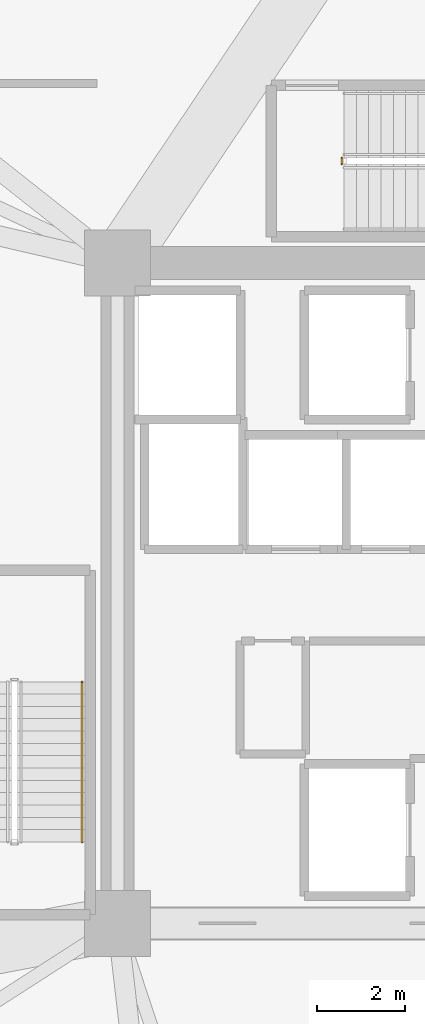
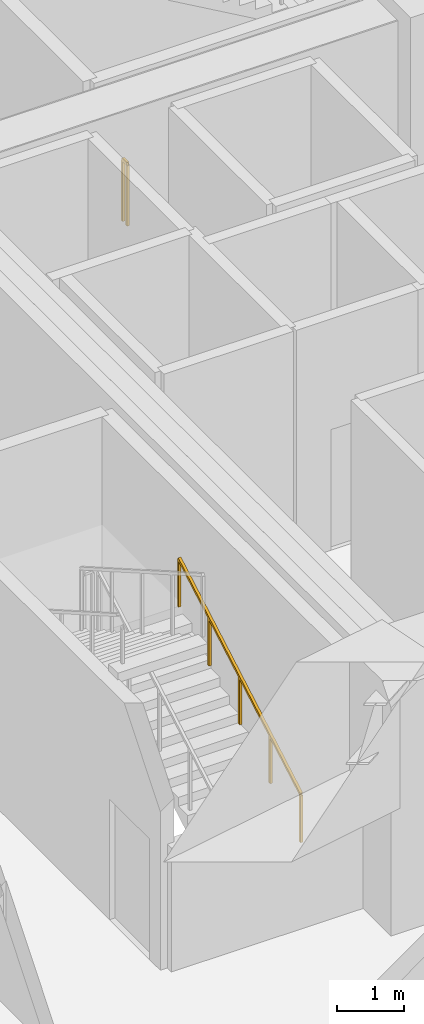
# One storey, part 24 of 27: 2 railings.
"""IFC4 building model written with IfcOpenShell, lengths in metres."""

from ifc_helpers import new_model, si_unit, direction, frame, origin, origin_2d, place, context, subcontext, project, spatial, rectangle, extrude, material, type_object, element, save


model = new_model("IFC4")

# Units and contexts
model_context = context("Model", 3, precision=1e-05, world=origin(), true_north=direction((0.0, 1.0)))
body_context = subcontext(model_context, "Body", "Model", "MODEL_VIEW")
ifc_project = project(units=[si_unit("LENGTHUNIT", "METRE"), si_unit("AREAUNIT", "SQUARE_METRE"), si_unit("VOLUMEUNIT", "CUBIC_METRE"), si_unit("PLANEANGLEUNIT", "RADIAN"), si_unit("MASSUNIT", "GRAM", prefix="KILO")], contexts=[model_context])

# Site, building, storey
site_placement = place(None, origin())
site = spatial("IfcSite", under=ifc_project, at=site_placement, CompositionType="ELEMENT")
building_placement = place(site_placement, origin())
building = spatial("IfcBuilding", under=site, at=building_placement, Name="Liaohun Quay Tower", CompositionType="ELEMENT")
storey_placement = place(building_placement, frame((0.0, 0.0, 185.25)))
storey = spatial("IfcBuildingStorey", under=building, at=storey_placement, Name="L48", CompositionType="ELEMENT", Elevation=185.25)

# Railings
ifc_material_1 = material(Name="Painted tubular steel", Category="steel")
railing_type_1 = type_object("IfcRailingType", Name="RLG-GUARD-STR", PredefinedType="GUARDRAIL", material=ifc_material_1)
railing_1_placement = place(storey_placement, frame((56.10009765625, 63.75, 0.0)))
element("IfcRailing", 1, at=railing_1_placement, inside=storey, type_object=railing_type_1, Name="L48 ST-3 stair guard 4", PredefinedType="GUARDRAIL", context=body_context, shape_type="SweptSolid", body=[
    extrude(rectangle(XDim=0.048095703125, YDim=0.048095703125, at=origin_2d()), frame((0.0, 0.0, 1.1259765625), z_axis=(0.0, 1.0, 0.0), x_axis=(-1.0, 0.0, 0.0)), (0.0, 0.0, 1.0), 0.139892578125),
    extrude(rectangle(XDim=0.0419921875, YDim=0.0419921875, at=origin_2d()), origin(), (0.0, 0.0, 1.0), 1.101806640625),
    extrude(rectangle(XDim=0.0419921875, YDim=0.0419921875, at=origin_2d()), frame((0.0, 0.139892578125, 0.0)), (0.0, 0.0, 1.0), 1.101806640625),
])
ifc_material_2 = material(Name="Brushed stainless steel", Category="steel")
railing_type_2 = type_object("IfcRailingType", Name="RLG-HND-STR", PredefinedType="HANDRAIL", material=ifc_material_2)
railing_2_placement = place(storey_placement, frame((50.199951171875, 48.35009765625, 0.16064453125)))
element("IfcRailing", 2, at=railing_2_placement, inside=storey, type_object=railing_type_2, Name="L48 ST-1 stair handrail 1", PredefinedType="HANDRAIL", context=body_context, shape_type="SweptSolid", body=[
    extrude(rectangle(XDim=0.048095703125, YDim=0.048095703125, at=origin_2d()), frame((0.0, 0.0, 0.8759765625), z_axis=(0.0, 0.8672749571, 0.497829437445), x_axis=(-1.0, 0.0, 0.0)), (0.0, 0.0, 1.0), 4.197021484375),
    extrude(rectangle(XDim=0.0419921875, YDim=0.0419921875, at=origin_2d()), origin(), (0.0, 0.0, 1.0), 0.851806640625),
    extrude(rectangle(XDim=0.0419921875, YDim=0.0419921875, at=origin_2d()), frame((0.0, 0.909912109375, 0.5224609375)), (0.0, 0.0, 1.0), 0.851806640625),
    extrude(rectangle(XDim=0.0419921875, YDim=0.0419921875, at=origin_2d()), frame((0.0, 1.81982421875, 1.044677734375)), (0.0, 0.0, 1.0), 0.851806640625),
    extrude(rectangle(XDim=0.0419921875, YDim=0.0419921875, at=origin_2d()), frame((0.0, 2.72998046875, 1.56689453125)), (0.0, 0.0, 1.0), 0.851806640625),
    extrude(rectangle(XDim=0.0419921875, YDim=0.0419921875, at=origin_2d()), frame((0.0, 3.639892578125, 2.08935546875)), (0.0, 0.0, 1.0), 0.851806640625),
])

save(model, "model.ifc")
